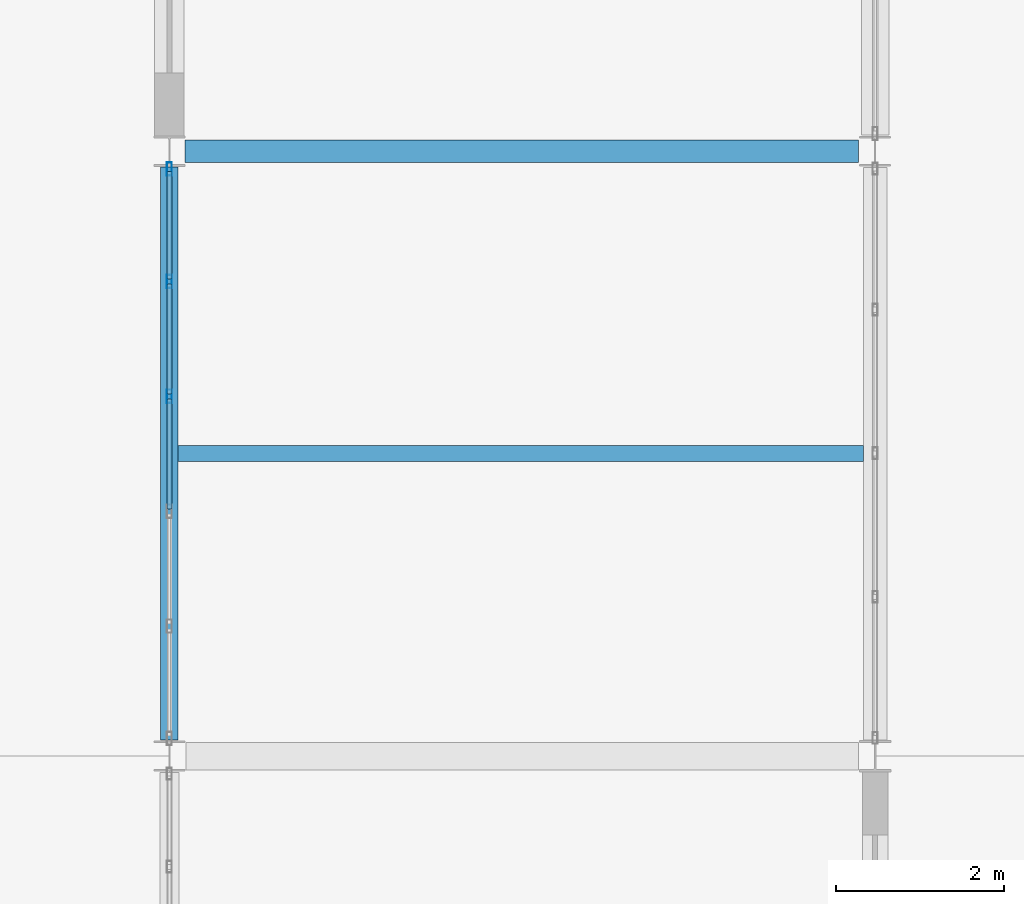
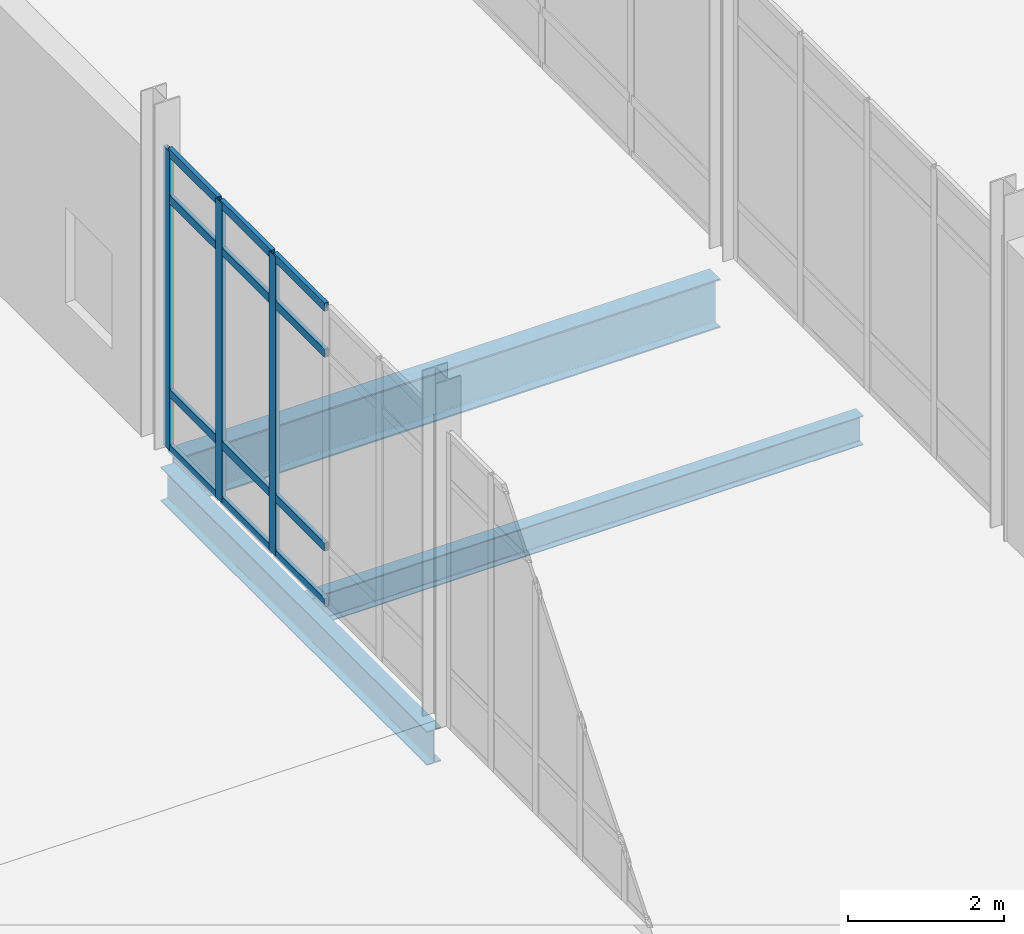
# One storey, part 80 of 229: 15 members, 3 beams, 1 element without a shape of its own.
"""IFC4 building model written with IfcOpenShell, lengths in metres."""

from ifc_helpers import new_model, si_unit, direction, frame, origin, origin_2d, place, context, subcontext, project, spatial, hollow_rectangle, i_section, extrude, material, layer, layer_set, material_profile, profile_set, type_object, element, aggregate, save


model = new_model("IFC4")

# Units and contexts
model_context = context("Model", 3, precision=1e-05, world=origin(), true_north=direction((0.0, 1.0)))
body_context = subcontext(model_context, "Body", "Model", "MODEL_VIEW")
ifc_project = project(units=[si_unit("LENGTHUNIT", "METRE"), si_unit("AREAUNIT", "SQUARE_METRE"), si_unit("VOLUMEUNIT", "CUBIC_METRE"), si_unit("PLANEANGLEUNIT", "RADIAN"), si_unit("MASSUNIT", "GRAM", prefix="KILO")], contexts=[model_context])

# Site, building, storey
site_placement = place(None, origin())
site = spatial("IfcSite", under=ifc_project, at=site_placement, CompositionType="ELEMENT")
building_placement = place(site_placement, origin())
building = spatial("IfcBuilding", under=site, at=building_placement, Name="Calvrana Isthmian Art Gallery", CompositionType="ELEMENT")
storey_placement = place(building_placement, origin())
storey = spatial("IfcBuildingStorey", under=building, at=storey_placement, Name="L00", CompositionType="ELEMENT", Elevation=0.0)

# Beams
ifc_material_1 = material(Name="Steel ASTM A992 Gr 50", Category="steel")
ifc_material_profile_1 = material_profile(ifc_material_1, i_section(OverallWidth=0.208984375, OverallDepth=0.532958984375, WebThickness=0.01025390625, FlangeThickness=0.015625, FilletRadius=0.02099609375, at=origin_2d()), Name="W21X62")
ifc_profile_set_1 = profile_set([ifc_material_profile_1], Name="Steel ASTM A992 Gr 50")
beam_type_1 = type_object("IfcBeamType", Name="BM-G-W21X62", PredefinedType="BEAM", material=ifc_profile_set_1)
beam_1_placement = place(storey_placement, frame((55.199951171875, 76.992919921875, -0.551513671875), z_axis=(0.0, 1.0, 0.0), x_axis=(-1.0, 0.0, 0.0)))
element("IfcBeam", 1, at=beam_1_placement, inside=storey, type_object=beam_type_1, Name="Girder Y L00 08/K-L", PredefinedType="BEAM", context=body_context, shape_type="SweptSolid", body=[
    extrude(i_section(OverallWidth=0.208984375, OverallDepth=0.532958984375, WebThickness=0.01025390625, FlangeThickness=0.015625, FilletRadius=0.02099609375, at=origin_2d()), origin(), (0.0, 0.0, 1.0), 6.820556640625),
])
ifc_material_profile_2 = material_profile(ifc_material_1, i_section(OverallWidth=0.26708984375, OverallDepth=0.761962890625, WebThickness=0.014404296875, FlangeThickness=0.021484375, FilletRadius=0.02490234375, at=origin_2d()), Name="W30X116")
ifc_profile_set_2 = profile_set([ifc_material_profile_2], Name="Steel ASTM A992 Gr 50")
beam_type_2 = type_object("IfcBeamType", Name="BM-G-W30X116", PredefinedType="BEAM", material=ifc_profile_set_2)
beam_2_placement = place(storey_placement, frame((55.386474609375, 84.0, -0.666015625), z_axis=(1.0, 0.0, 0.0), x_axis=(0.0, 1.0, 0.0)))
element("IfcBeam", 2, at=beam_2_placement, inside=storey, type_object=beam_type_2, Name="Girder X L00 08-09/L", PredefinedType="BEAM", context=body_context, shape_type="SweptSolid", body=[
    extrude(i_section(OverallWidth=0.26708984375, OverallDepth=0.761962890625, WebThickness=0.014404296875, FlangeThickness=0.021484375, FilletRadius=0.02490234375, at=origin_2d()), origin(), (0.0, 0.0, 1.0), 8.013916015625),
])
ifc_material_profile_3 = material_profile(ifc_material_1, i_section(OverallWidth=0.19091796875, OverallDepth=0.45703125, WebThickness=0.009033203125, FlangeThickness=0.014404296875, FilletRadius=0.02001953125, at=origin_2d()), Name="W18X50")
ifc_profile_set_3 = profile_set([ifc_material_profile_3], Name="Steel ASTM A992 Gr 50")
beam_type_3 = type_object("IfcBeamType", Name="BM-J-W18X50", PredefinedType="JOIST", material=ifc_profile_set_3)
beam_3_placement = place(storey_placement, frame((55.304443359375, 80.39990234375, -0.513427734375), z_axis=(1.0, 0.0, 0.0), x_axis=(0.0, 1.0, 0.0)))
element("IfcBeam", 3, at=beam_3_placement, inside=storey, type_object=beam_type_3, Name="Composite joist L00 bay 07-10", PredefinedType="JOIST", context=body_context, shape_type="SweptSolid", body=[
    extrude(i_section(OverallWidth=0.19091796875, OverallDepth=0.45703125, WebThickness=0.009033203125, FlangeThickness=0.014404296875, FilletRadius=0.02001953125, at=origin_2d()), origin(), (0.0, 0.0, 1.0), 8.156005859375),
])

# Curtain wall, members
ifc_material_2 = material(Name="Anodized bronze aluminium 6063-T6", Category="aluminium")
ifc_layer = layer(ifc_material_2, 0.179931640625, Name="Anodized bronze aluminium 6063-T6")
ifc_layer_set = layer_set([ifc_layer], Name="Anodized bronze aluminium 6063-T6")
curtain_wall_type = type_object("IfcCurtainWallType", Name="CW-STICK-068X47", PredefinedType="NOTDEFINED", material=ifc_layer_set)
curtain_wall_placement = place(storey_placement, origin())
curtain_wall = element("IfcCurtainWall", 4, at=curtain_wall_placement, inside=storey, type_object=curtain_wall_type, Name="Curtain wall CW-061", PredefinedType="NOTDEFINED")
ifc_material_profile_4 = material_profile(ifc_material_2, hollow_rectangle(XDim=0.06005859375, YDim=0.159912109375, WallThickness=0.00390625, at=origin_2d()), Name="CWM60X160")
ifc_profile_set_4 = profile_set([ifc_material_profile_4], Name="Anodized bronze aluminium 6063-T6")
member_type_1 = type_object("IfcMemberType", Name="CWM-CWM60X160", PredefinedType="MULLION", material=ifc_profile_set_4)
member_1_placement = place(storey_placement, frame((55.199951171875, 81.082275390625, 0.0), z_axis=(0.0, 0.0, 1.0), x_axis=(-1.0, 0.0, 0.0)))
member_1 = element("IfcMember", 5, at=member_1_placement, type_object=member_type_1, Name="CW-061 mullion 4", PredefinedType="MULLION", context=body_context, shape_type="SweptSolid", body=[
    extrude(hollow_rectangle(XDim=0.06005859375, YDim=0.159912109375, WallThickness=0.00390625, at=origin_2d()), origin(), (0.0, 0.0, 1.0), 4.677978515625),
])
member_2_placement = place(storey_placement, frame((55.199951171875, 82.450439453125, 0.0), z_axis=(0.0, 0.0, 1.0), x_axis=(-1.0, 0.0, 0.0)))
member_2 = element("IfcMember", 6, at=member_2_placement, type_object=member_type_1, Name="CW-061 mullion 5", PredefinedType="MULLION", context=body_context, shape_type="SweptSolid", body=[
    extrude(hollow_rectangle(XDim=0.06005859375, YDim=0.159912109375, WallThickness=0.00390625, at=origin_2d()), origin(), (0.0, 0.0, 1.0), 4.677978515625),
])
member_3_placement = place(storey_placement, frame((55.199951171875, 83.78857421875, 0.0), z_axis=(0.0, 0.0, 1.0), x_axis=(-1.0, 0.0, 0.0)))
member_3 = element("IfcMember", 7, at=member_3_placement, type_object=member_type_1, Name="CW-061 mullion 6", PredefinedType="MULLION", context=body_context, shape_type="SweptSolid", body=[
    extrude(hollow_rectangle(XDim=0.06005859375, YDim=0.159912109375, WallThickness=0.00390625, at=origin_2d()), origin(), (0.0, 0.0, 1.0), 4.677978515625),
])
ifc_material_profile_5 = material_profile(ifc_material_2, hollow_rectangle(XDim=0.06005859375, YDim=0.1298828125, WallThickness=0.00390625, at=origin_2d()), Name="CWT60X130")
ifc_profile_set_5 = profile_set([ifc_material_profile_5], Name="Anodized bronze aluminium 6063-T6")
member_type_2 = type_object("IfcMemberType", Name="CWT-CWT60X130", PredefinedType="USERDEFINED", material=ifc_profile_set_5)
member_4_placement = place(storey_placement, frame((55.199951171875, 79.744140625, 0.030029296875), z_axis=(0.0, 1.0, 0.0), x_axis=(-1.0, 0.0, 0.0)))
member_4 = element("IfcMember", 8, at=member_4_placement, type_object=member_type_2, Name="CW-061 transom 3.1", ObjectType="TRANSOM", PredefinedType="USERDEFINED", context=body_context, shape_type="SweptSolid", body=[
    extrude(hollow_rectangle(XDim=0.06005859375, YDim=0.1298828125, WallThickness=0.00390625, at=origin_2d()), origin(), (0.0, 0.0, 1.0), 1.30810546875),
])
member_5_placement = place(storey_placement, frame((55.199951171875, 79.744140625, 0.89990234375), z_axis=(0.0, 1.0, 0.0), x_axis=(-1.0, 0.0, 0.0)))
member_5 = element("IfcMember", 9, at=member_5_placement, type_object=member_type_2, Name="CW-061 transom 3.2", ObjectType="TRANSOM", PredefinedType="USERDEFINED", context=body_context, shape_type="SweptSolid", body=[
    extrude(hollow_rectangle(XDim=0.06005859375, YDim=0.1298828125, WallThickness=0.00390625, at=origin_2d()), origin(), (0.0, 0.0, 1.0), 1.30810546875),
])
member_6_placement = place(storey_placement, frame((55.199951171875, 79.744140625, 3.927978515625), z_axis=(0.0, 1.0, 0.0), x_axis=(-1.0, 0.0, 0.0)))
member_6 = element("IfcMember", 10, at=member_6_placement, type_object=member_type_2, Name="CW-061 transom 3.3", ObjectType="TRANSOM", PredefinedType="USERDEFINED", context=body_context, shape_type="SweptSolid", body=[
    extrude(hollow_rectangle(XDim=0.06005859375, YDim=0.1298828125, WallThickness=0.00390625, at=origin_2d()), origin(), (0.0, 0.0, 1.0), 1.30810546875),
])
member_7_placement = place(storey_placement, frame((55.199951171875, 79.744140625, 4.64794921875), z_axis=(0.0, 1.0, 0.0), x_axis=(-1.0, 0.0, 0.0)))
member_7 = element("IfcMember", 11, at=member_7_placement, type_object=member_type_2, Name="CW-061 transom 3.4", ObjectType="TRANSOM", PredefinedType="USERDEFINED", context=body_context, shape_type="SweptSolid", body=[
    extrude(hollow_rectangle(XDim=0.06005859375, YDim=0.1298828125, WallThickness=0.00390625, at=origin_2d()), origin(), (0.0, 0.0, 1.0), 1.30810546875),
])
member_8_placement = place(storey_placement, frame((55.199951171875, 81.1123046875, 0.030029296875), z_axis=(0.0, 1.0, 0.0), x_axis=(-1.0, 0.0, 0.0)))
member_8 = element("IfcMember", 12, at=member_8_placement, type_object=member_type_2, Name="CW-061 transom 4.1", ObjectType="TRANSOM", PredefinedType="USERDEFINED", context=body_context, shape_type="SweptSolid", body=[
    extrude(hollow_rectangle(XDim=0.06005859375, YDim=0.1298828125, WallThickness=0.00390625, at=origin_2d()), origin(), (0.0, 0.0, 1.0), 1.30810546875),
])
member_9_placement = place(storey_placement, frame((55.199951171875, 81.1123046875, 0.89990234375), z_axis=(0.0, 1.0, 0.0), x_axis=(-1.0, 0.0, 0.0)))
member_9 = element("IfcMember", 13, at=member_9_placement, type_object=member_type_2, Name="CW-061 transom 4.2", ObjectType="TRANSOM", PredefinedType="USERDEFINED", context=body_context, shape_type="SweptSolid", body=[
    extrude(hollow_rectangle(XDim=0.06005859375, YDim=0.1298828125, WallThickness=0.00390625, at=origin_2d()), origin(), (0.0, 0.0, 1.0), 1.30810546875),
])
member_10_placement = place(storey_placement, frame((55.199951171875, 81.1123046875, 3.927978515625), z_axis=(0.0, 1.0, 0.0), x_axis=(-1.0, 0.0, 0.0)))
member_10 = element("IfcMember", 14, at=member_10_placement, type_object=member_type_2, Name="CW-061 transom 4.3", ObjectType="TRANSOM", PredefinedType="USERDEFINED", context=body_context, shape_type="SweptSolid", body=[
    extrude(hollow_rectangle(XDim=0.06005859375, YDim=0.1298828125, WallThickness=0.00390625, at=origin_2d()), origin(), (0.0, 0.0, 1.0), 1.30810546875),
])
member_11_placement = place(storey_placement, frame((55.199951171875, 81.1123046875, 4.64794921875), z_axis=(0.0, 1.0, 0.0), x_axis=(-1.0, 0.0, 0.0)))
member_11 = element("IfcMember", 15, at=member_11_placement, type_object=member_type_2, Name="CW-061 transom 4.4", ObjectType="TRANSOM", PredefinedType="USERDEFINED", context=body_context, shape_type="SweptSolid", body=[
    extrude(hollow_rectangle(XDim=0.06005859375, YDim=0.1298828125, WallThickness=0.00390625, at=origin_2d()), origin(), (0.0, 0.0, 1.0), 1.30810546875),
])
member_12_placement = place(storey_placement, frame((55.199951171875, 82.48046875, 0.030029296875), z_axis=(0.0, 1.0, 0.0), x_axis=(-1.0, 0.0, 0.0)))
member_12 = element("IfcMember", 16, at=member_12_placement, type_object=member_type_2, Name="CW-061 transom 5.1", ObjectType="TRANSOM", PredefinedType="USERDEFINED", context=body_context, shape_type="SweptSolid", body=[
    extrude(hollow_rectangle(XDim=0.06005859375, YDim=0.1298828125, WallThickness=0.00390625, at=origin_2d()), origin(), (0.0, 0.0, 1.0), 1.278076171875),
])
member_13_placement = place(storey_placement, frame((55.199951171875, 82.48046875, 0.89990234375), z_axis=(0.0, 1.0, 0.0), x_axis=(-1.0, 0.0, 0.0)))
member_13 = element("IfcMember", 17, at=member_13_placement, type_object=member_type_2, Name="CW-061 transom 5.2", ObjectType="TRANSOM", PredefinedType="USERDEFINED", context=body_context, shape_type="SweptSolid", body=[
    extrude(hollow_rectangle(XDim=0.06005859375, YDim=0.1298828125, WallThickness=0.00390625, at=origin_2d()), origin(), (0.0, 0.0, 1.0), 1.278076171875),
])
member_14_placement = place(storey_placement, frame((55.199951171875, 82.48046875, 3.927978515625), z_axis=(0.0, 1.0, 0.0), x_axis=(-1.0, 0.0, 0.0)))
member_14 = element("IfcMember", 18, at=member_14_placement, type_object=member_type_2, Name="CW-061 transom 5.3", ObjectType="TRANSOM", PredefinedType="USERDEFINED", context=body_context, shape_type="SweptSolid", body=[
    extrude(hollow_rectangle(XDim=0.06005859375, YDim=0.1298828125, WallThickness=0.00390625, at=origin_2d()), origin(), (0.0, 0.0, 1.0), 1.278076171875),
])
member_15_placement = place(storey_placement, frame((55.199951171875, 82.48046875, 4.64794921875), z_axis=(0.0, 1.0, 0.0), x_axis=(-1.0, 0.0, 0.0)))
member_15 = element("IfcMember", 19, at=member_15_placement, type_object=member_type_2, Name="CW-061 transom 5.4", ObjectType="TRANSOM", PredefinedType="USERDEFINED", context=body_context, shape_type="SweptSolid", body=[
    extrude(hollow_rectangle(XDim=0.06005859375, YDim=0.1298828125, WallThickness=0.00390625, at=origin_2d()), origin(), (0.0, 0.0, 1.0), 1.278076171875),
])
aggregate(curtain_wall, [member_1, member_2, member_3, member_4, member_5, member_6, member_7, member_8, member_9, member_10, member_11, member_12, member_13, member_14, member_15])

save(model, "model.ifc")
